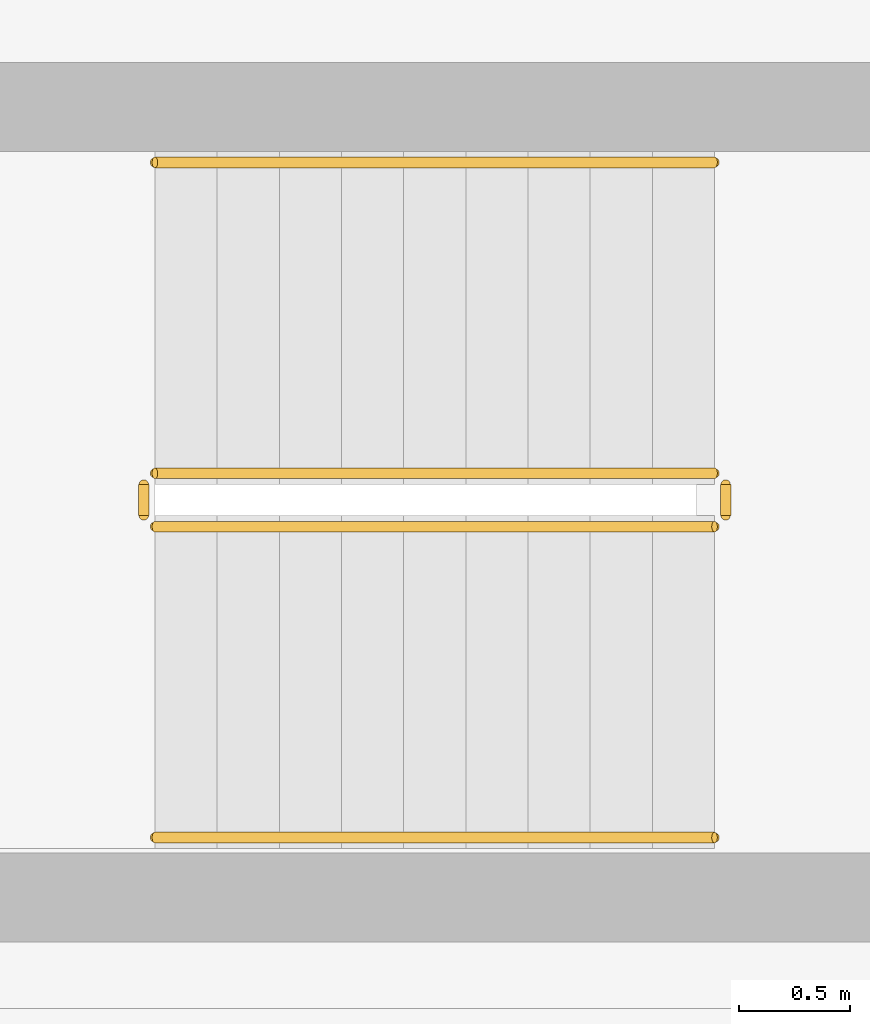
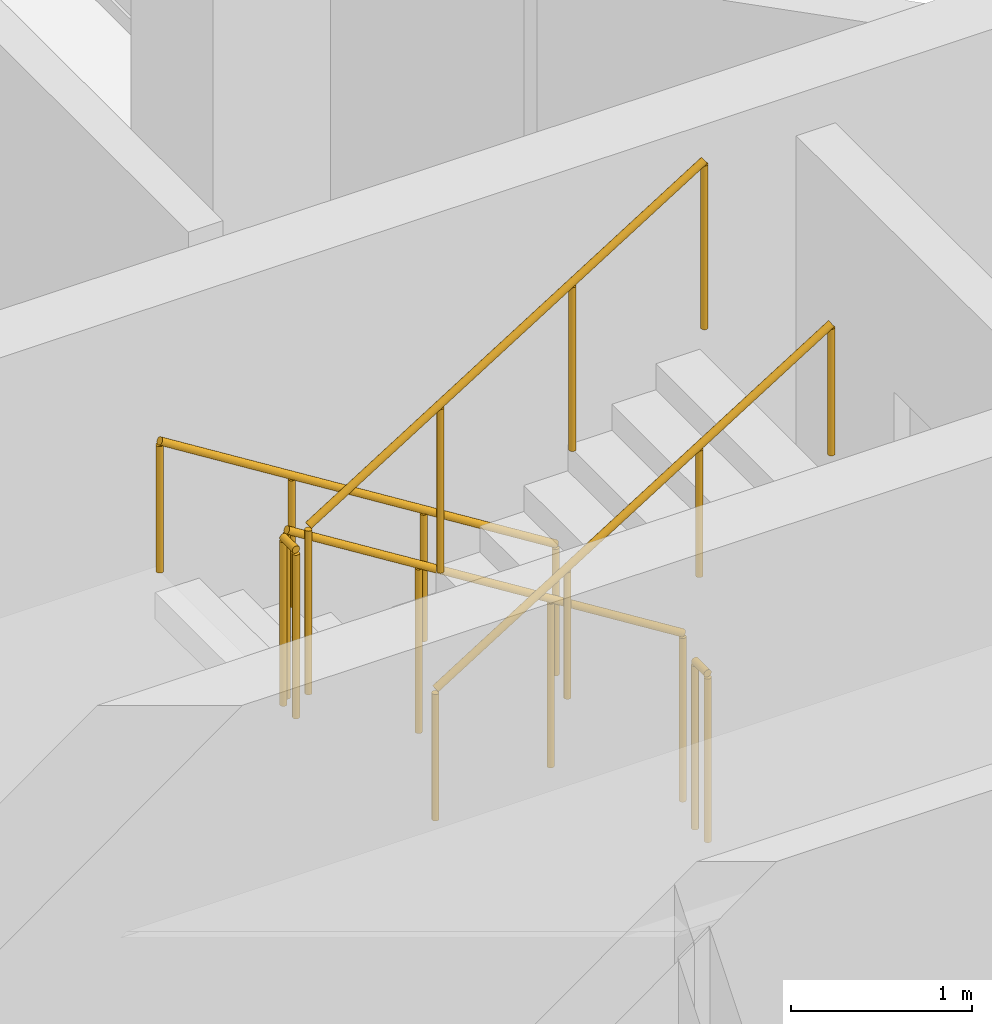
# One storey, part 11 of 14: 6 railings.
"""IFC4 building model written with IfcOpenShell, lengths in metres."""

from ifc_helpers import new_model, si_unit, derived_unit, direction, frame, origin, origin_2d, place, context, subcontext, project, spatial, circle, extrude, material, type_object, element, save


model = new_model("IFC4")

# Units and contexts
model_context = context("Model", 3, precision=1e-05, world=origin(), true_north=direction((0.0, 1.0)))
body_context = subcontext(model_context, "Body", "Model", "MODEL_VIEW")
ifc_project = project(units=[si_unit("LENGTHUNIT", "METRE"), si_unit("AREAUNIT", "SQUARE_METRE"), si_unit("VOLUMEUNIT", "CUBIC_METRE"), si_unit("PLANEANGLEUNIT", "RADIAN"), si_unit("MASSUNIT", "GRAM", prefix="KILO"), derived_unit("THERMALTRANSMITTANCEUNIT", [(si_unit("POWERUNIT", "WATT"), 1), (si_unit("LENGTHUNIT", "METRE"), -2), (si_unit("THERMODYNAMICTEMPERATUREUNIT", "KELVIN"), -1)])], contexts=[model_context])

# Site, building, storey
site_placement = place(None, origin())
site = spatial("IfcSite", under=ifc_project, at=site_placement, CompositionType="ELEMENT")
building_placement = place(site_placement, origin())
building = spatial("IfcBuilding", under=site, at=building_placement, Name="Kivonza Crest Hotel", CompositionType="ELEMENT")
storey_placement = place(building_placement, frame((0.0, 0.0, 141.5)))
storey = spatial("IfcBuildingStorey", under=building, at=storey_placement, Name="L38", CompositionType="ELEMENT", Elevation=141.5)

# Railings
ifc_material_1 = material(Name="Brushed stainless steel handrail", Category="steel")
railing_type_1 = type_object("IfcRailingType", Name="RL-HAND-900", PredefinedType="HANDRAIL", material=ifc_material_1)
railing_1_placement = place(storey_placement, frame((12.239990234375, 16.949951171875, 0.175048828125)))
element("IfcRailing", 1, at=railing_1_placement, inside=storey, type_object=railing_type_1, Name="L38 ST-T1-S stair handrail 1", PredefinedType="HANDRAIL", context=body_context, shape_type="SweptSolid", body=[
    extrude(circle(Radius=0.02392578125, at=origin_2d()), frame((0.0, 0.0, 0.8759765625), z_axis=(-0.848007534815, 0.0, 0.529984170421), x_axis=(0.0, -1.0, 0.0)), (0.0, 0.0, 1.0), 2.9716796875),
    extrude(circle(Radius=0.02099609375, at=origin_2d()), origin(), (0.0, 0.0, 1.0), 0.851806640625),
    extrude(circle(Radius=0.02099609375, at=origin_2d()), frame((-0.840087890625, 0.0, 0.52490234375)), (0.0, 0.0, 1.0), 0.851806640625),
    extrude(circle(Radius=0.02099609375, at=origin_2d()), frame((-1.679931640625, 0.0, 1.050048828125)), (0.0, 0.0, 1.0), 0.851806640625),
    extrude(circle(Radius=0.02099609375, at=origin_2d()), frame((-2.52001953125, 0.0, 1.574951171875)), (0.0, 0.0, 1.0), 0.851806640625),
])
railing_2_placement = place(storey_placement, frame((9.719970703125, 13.909912109375, 1.925048828125)))
element("IfcRailing", 2, at=railing_2_placement, inside=storey, type_object=railing_type_1, Name="L38 ST-T1-S stair handrail 2", PredefinedType="HANDRAIL", context=body_context, shape_type="SweptSolid", body=[
    extrude(circle(Radius=0.02392578125, at=origin_2d()), frame((0.0, 0.0, 0.8759765625), z_axis=(0.848007534815, 0.0, 0.529984170421), x_axis=(0.0, 1.0, 0.0)), (0.0, 0.0, 1.0), 2.9716796875),
    extrude(circle(Radius=0.02099609375, at=origin_2d()), origin(), (0.0, 0.0, 1.0), 0.851806640625),
    extrude(circle(Radius=0.02099609375, at=origin_2d()), frame((0.840087890625, 0.0, 0.52490234375)), (0.0, 0.0, 1.0), 0.851806640625),
    extrude(circle(Radius=0.02099609375, at=origin_2d()), frame((1.679931640625, 0.0, 1.050048828125)), (0.0, 0.0, 1.0), 0.851806640625),
    extrude(circle(Radius=0.02099609375, at=origin_2d()), frame((2.52001953125, 0.0, 1.574951171875)), (0.0, 0.0, 1.0), 0.851806640625),
])
ifc_material_2 = material(Name="Painted steel balustrade", Category="steel")
railing_type_2 = type_object("IfcRailingType", Name="RL-STAIR-1150", PredefinedType="BALUSTRADE", material=ifc_material_2)
railing_3_placement = place(storey_placement, frame((12.239990234375, 15.550048828125, 0.175048828125)))
element("IfcRailing", 3, at=railing_3_placement, inside=storey, type_object=railing_type_2, Name="L38 ST-T1-S stair guard 1", PredefinedType="BALUSTRADE", context=body_context, shape_type="SweptSolid", body=[
    extrude(circle(Radius=0.02392578125, at=origin_2d()), frame((0.0, 0.0, 1.1259765625), z_axis=(-0.848007534815, 0.0, 0.529984170421), x_axis=(0.0, -1.0, 0.0)), (0.0, 0.0, 1.0), 2.9716796875),
    extrude(circle(Radius=0.02099609375, at=origin_2d()), origin(), (0.0, 0.0, 1.0), 1.101806640625),
    extrude(circle(Radius=0.02099609375, at=origin_2d()), frame((-0.840087890625, 0.0, 0.52490234375)), (0.0, 0.0, 1.0), 1.101806640625),
    extrude(circle(Radius=0.02099609375, at=origin_2d()), frame((-1.679931640625, 0.0, 1.050048828125)), (0.0, 0.0, 1.0), 1.101806640625),
    extrude(circle(Radius=0.02099609375, at=origin_2d()), frame((-2.52001953125, 0.0, 1.574951171875)), (0.0, 0.0, 1.0), 1.101806640625),
])
railing_4_placement = place(storey_placement, frame((9.669921875, 15.5, 1.75)))
element("IfcRailing", 4, at=railing_4_placement, inside=storey, type_object=railing_type_2, Name="L38 ST-T1-S stair guard 2", PredefinedType="BALUSTRADE", context=body_context, shape_type="SweptSolid", body=[
    extrude(circle(Radius=0.02392578125, at=origin_2d()), frame((0.0, 0.0, 1.1259765625), z_axis=(0.0, -1.0, 0.0), x_axis=(1.0, 0.0, 0.0)), (0.0, 0.0, 1.0), 0.139892578125),
    extrude(circle(Radius=0.02099609375, at=origin_2d()), origin(), (0.0, 0.0, 1.0), 1.101806640625),
    extrude(circle(Radius=0.02099609375, at=origin_2d()), frame((0.0, -0.139892578125, 0.0)), (0.0, 0.0, 1.0), 1.101806640625),
])
railing_5_placement = place(storey_placement, frame((9.719970703125, 15.31005859375, 1.925048828125)))
element("IfcRailing", 5, at=railing_5_placement, inside=storey, type_object=railing_type_2, Name="L38 ST-T1-S stair guard 3", PredefinedType="BALUSTRADE", context=body_context, shape_type="SweptSolid", body=[
    extrude(circle(Radius=0.02392578125, at=origin_2d()), frame((0.0, 0.0, 1.1259765625), z_axis=(0.848007534815, 0.0, 0.529984170421), x_axis=(0.0, 1.0, 0.0)), (0.0, 0.0, 1.0), 2.9716796875),
    extrude(circle(Radius=0.02099609375, at=origin_2d()), origin(), (0.0, 0.0, 1.0), 1.101806640625),
    extrude(circle(Radius=0.02099609375, at=origin_2d()), frame((0.840087890625, 0.0, 0.52490234375)), (0.0, 0.0, 1.0), 1.101806640625),
    extrude(circle(Radius=0.02099609375, at=origin_2d()), frame((1.679931640625, 0.0, 1.050048828125)), (0.0, 0.0, 1.0), 1.101806640625),
    extrude(circle(Radius=0.02099609375, at=origin_2d()), frame((2.52001953125, 0.0, 1.574951171875)), (0.0, 0.0, 1.0), 1.101806640625),
])
railing_6_placement = place(storey_placement, frame((12.2900390625, 15.5, 0.0)))
element("IfcRailing", 6, at=railing_6_placement, inside=storey, type_object=railing_type_2, Name="L38 ST-T1-S stair guard 4", PredefinedType="BALUSTRADE", context=body_context, shape_type="SweptSolid", body=[
    extrude(circle(Radius=0.02392578125, at=origin_2d()), frame((0.0, 0.0, 1.1259765625), z_axis=(0.0, -1.0, 0.0), x_axis=(1.0, 0.0, 0.0)), (0.0, 0.0, 1.0), 0.139892578125),
    extrude(circle(Radius=0.02099609375, at=origin_2d()), origin(), (0.0, 0.0, 1.0), 1.101806640625),
    extrude(circle(Radius=0.02099609375, at=origin_2d()), frame((0.0, -0.139892578125, 0.0)), (0.0, 0.0, 1.0), 1.101806640625),
])

save(model, "model.ifc")
